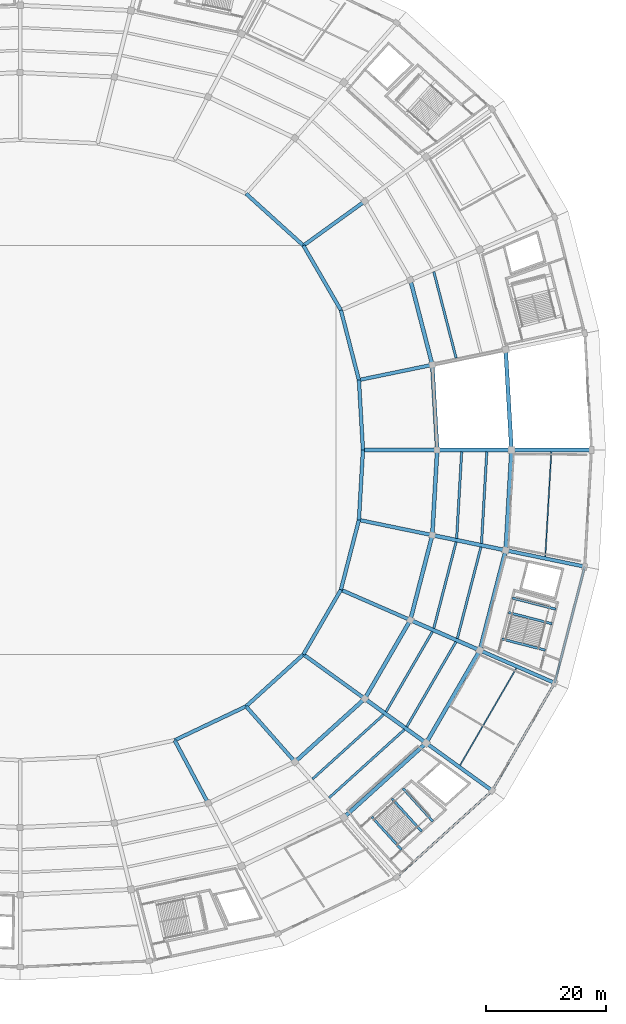
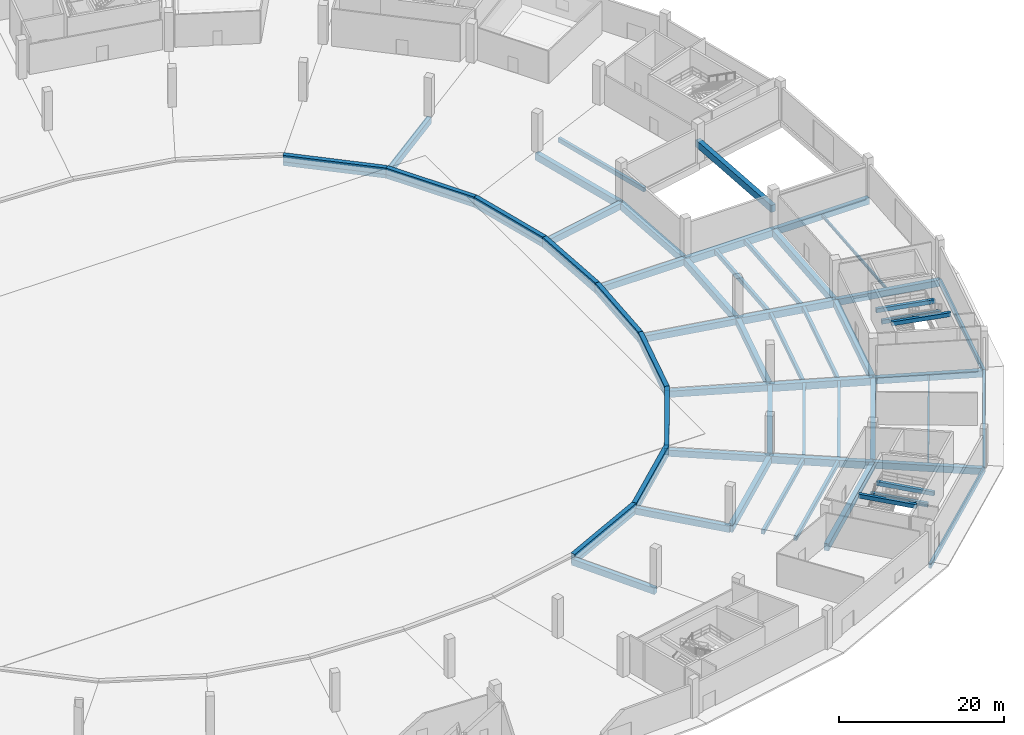
# One storey, part 4 of 48: 65 beams.
"""IFC4 building model written with IfcOpenShell, lengths in metres."""

from ifc_helpers import new_model, si_unit, direction, frame, origin, origin_2d, place, context, subcontext, project, spatial, rectangle, i_section, extrude, material, material_profile, profile_set, type_object, element, save


model = new_model("IFC4")

# Units and contexts
model_context = context("Model", 3, precision=1e-05, world=origin(), true_north=direction((0.0, 1.0)))
body_context = subcontext(model_context, "Body", "Model", "MODEL_VIEW")
ifc_project = project(units=[si_unit("LENGTHUNIT", "METRE"), si_unit("AREAUNIT", "SQUARE_METRE"), si_unit("VOLUMEUNIT", "CUBIC_METRE"), si_unit("PLANEANGLEUNIT", "RADIAN"), si_unit("MASSUNIT", "GRAM", prefix="KILO")], contexts=[model_context])

# Site, building, storey
site_placement = place(None, origin())
site = spatial("IfcSite", under=ifc_project, at=site_placement, CompositionType="ELEMENT")
building_placement = place(site_placement, origin())
building = spatial("IfcBuilding", under=site, at=building_placement, Name="Kazemori Nagisa Stadium", CompositionType="ELEMENT")
storey_placement = place(building_placement, origin())
storey = spatial("IfcBuildingStorey", under=building, at=storey_placement, Name="L00", CompositionType="ELEMENT", Elevation=0.0)

# Beams
ifc_material_1 = material(Name="Concrete C40/50 (Fc42)", Category="concrete")
ifc_material_profile_1 = material_profile(ifc_material_1, rectangle(XDim=0.39990234375, YDim=0.60009765625, at=origin_2d()), Name="RC-BM-400x600")
ifc_profile_set_1 = profile_set([ifc_material_profile_1], Name="Concrete C40/50 (Fc42)")
beam_type_1 = type_object("IfcBeamType", Name="Beam_BG-LND400X600", PredefinedType="BEAM", material=ifc_profile_set_1)
for number, where, z_axis, x_axis, name in (
    (1, (184.815185546875, 44.02685546875, 2.389892578125), (0.671113236271, -0.74135485707, 0.0), (0.74135485707, 0.671113236271, 0.0), "Core stair mid-landing girder ST04-L00-1"),
    (2, (186.66845703125, 45.70458984375, 2.389892578125), (0.671113236271, -0.74135485707, 0.0), (0.74135485707, 0.671113236271, 0.0), "Core stair mid-landing girder ST04-L00-2"),
    (3, (181.456787109375, 40.98681640625, 5.199951171875), (0.671113236271, -0.74135485707, 0.0), (0.74135485707, 0.671113236271, 0.0), "Core stair arrival header girder ST04-L00"),
):
    element("IfcBeam", number, at=place(storey_placement, frame(where, z_axis=z_axis, x_axis=x_axis)), inside=storey, type_object=beam_type_1, Name=name, PredefinedType="BEAM", context=body_context, shape_type="SweptSolid", body=[
        extrude(rectangle(XDim=0.39990234375, YDim=0.60009765625, at=origin_2d()), origin(), (0.0, 0.0, 1.0), 7.385986328125),
    ])
for number, where, z_axis, x_axis, name in (
    (4, (204.22802734375, 74.9609375, 2.389892578125), (0.968252570883, -0.249973916595, 0.0), (0.249973916595, 0.968252570883, 0.0), "Core stair mid-landing girder ST10-L00-1"),
    (5, (204.85302734375, 77.381591796875, 2.389892578125), (0.968252570883, -0.249973916595, 0.0), (0.249973916595, 0.968252570883, 0.0), "Core stair mid-landing girder ST10-L00-2"),
    (6, (203.095703125, 70.57470703125, 5.199951171875), (0.968252570883, -0.249973916595, 0.0), (0.249973916595, 0.968252570883, 0.0), "Core stair arrival header girder ST10-L00"),
):
    element("IfcBeam", number, at=place(storey_placement, frame(where, z_axis=z_axis, x_axis=x_axis)), inside=storey, type_object=beam_type_1, Name=name, PredefinedType="BEAM", context=body_context, shape_type="SweptSolid", body=[
        extrude(rectangle(XDim=0.39990234375, YDim=0.60009765625, at=origin_2d()), origin(), (0.0, 0.0, 1.0), 7.468505859375),
    ])
ifc_material_profile_2 = material_profile(ifc_material_1, rectangle(XDim=0.60009765625, YDim=0.949951171875, at=origin_2d()), Name="RC-BM-600x950")
ifc_profile_set_2 = profile_set([ifc_material_profile_2], Name="Concrete C40/50 (Fc42)")
beam_type_2 = type_object("IfcBeamType", Name="Beam_BG-RC600X950", PredefinedType="BEAM", material=ifc_profile_set_2)
beam_1_placement = place(storey_placement, frame((180.0, 102.0, -0.77490234375), z_axis=(-0.057610985188, 0.998339107912, 0.0), x_axis=(-0.998339107912, -0.057610985188, 0.0)))
element("IfcBeam", 7, at=beam_1_placement, inside=storey, type_object=beam_type_2, Name="Ring girder BG-RC600X950 L00 R0-01", PredefinedType="BEAM", context=body_context, shape_type="SweptSolid", body=[
    extrude(rectangle(XDim=0.60009765625, YDim=0.949951171875, at=origin_2d()), origin(), (0.0, 0.0, 1.0), 11.657958984375),
])
beam_2_placement = place(storey_placement, frame((179.328369140625, 113.638671875, -0.77490234375), z_axis=(-0.249948828341, 0.968259047575, 0.0), x_axis=(-0.968259047575, -0.249948828341, 0.0)))
element("IfcBeam", 8, at=beam_2_placement, inside=storey, type_object=beam_type_2, Name="Ring girder BG-RC600X950 L00 R0-02", PredefinedType="BEAM", context=body_context, shape_type="SweptSolid", body=[
    extrude(rectangle(XDim=0.60009765625, YDim=0.949951171875, at=origin_2d()), origin(), (0.0, 0.0, 1.0), 11.99169921875),
])
beam_3_placement = place(storey_placement, frame((176.3310546875, 125.249755859375, -0.77490234375), z_axis=(-0.501625475419, 0.865084898961, 0.0), x_axis=(-0.865084898961, -0.501625475419, 0.0)))
element("IfcBeam", 9, at=beam_3_placement, inside=storey, type_object=beam_type_2, Name="Ring girder BG-RC600X950 L00 R0-03", PredefinedType="BEAM", context=body_context, shape_type="SweptSolid", body=[
    extrude(rectangle(XDim=0.60009765625, YDim=0.949951171875, at=origin_2d()), origin(), (0.0, 0.0, 1.0), 12.427490234375),
])
beam_4_placement = place(storey_placement, frame((170.09716796875, 136.00048828125, -0.77490234375), z_axis=(-0.741338850776, 0.67113091743, 0.0), x_axis=(-0.67113091743, -0.741338850776, 0.0)))
element("IfcBeam", 10, at=beam_4_placement, inside=storey, type_object=beam_type_2, Name="Ring girder BG-RC600X950 L00 R0-04", PredefinedType="BEAM", context=body_context, shape_type="SweptSolid", body=[
    extrude(rectangle(XDim=0.60009765625, YDim=0.949951171875, at=origin_2d()), origin(), (0.0, 0.0, 1.0), 12.866455078125),
])
beam_5_placement = place(storey_placement, frame((148.682861328125, 53.721435546875, -0.77490234375), z_axis=(0.903219207247, 0.429179523812, 0.0), x_axis=(-0.429179523812, 0.903219207247, 0.0)))
element("IfcBeam", 11, at=beam_5_placement, inside=storey, type_object=beam_type_2, Name="Ring girder BG-RC600X950 L00 R0-24", PredefinedType="BEAM", context=body_context, shape_type="SweptSolid", body=[
    extrude(rectangle(XDim=0.60009765625, YDim=0.949951171875, at=origin_2d()), origin(), (0.0, 0.0, 1.0), 13.1484375),
])
beam_6_placement = place(storey_placement, frame((160.558837890625, 59.364501953125, -0.77490234375), z_axis=(0.741338850776, 0.67113091743, 0.0), x_axis=(-0.67113091743, 0.741338850776, 0.0)))
element("IfcBeam", 12, at=beam_6_placement, inside=storey, type_object=beam_type_2, Name="Ring girder BG-RC600X950 L00 R0-25", PredefinedType="BEAM", context=body_context, shape_type="SweptSolid", body=[
    extrude(rectangle(XDim=0.60009765625, YDim=0.949951171875, at=origin_2d()), origin(), (0.0, 0.0, 1.0), 12.866455078125),
])
beam_7_placement = place(storey_placement, frame((170.09716796875, 67.99951171875, -0.77490234375), z_axis=(0.501625475419, 0.865084898961, 0.0), x_axis=(-0.865084898961, 0.501625475419, 0.0)))
element("IfcBeam", 13, at=beam_7_placement, inside=storey, type_object=beam_type_2, Name="Ring girder BG-RC600X950 L00 R0-26", PredefinedType="BEAM", context=body_context, shape_type="SweptSolid", body=[
    extrude(rectangle(XDim=0.60009765625, YDim=0.949951171875, at=origin_2d()), origin(), (0.0, 0.0, 1.0), 12.427490234375),
])
beam_8_placement = place(storey_placement, frame((176.3310546875, 78.750244140625, -0.77490234375), z_axis=(0.249948828341, 0.968259047575, 0.0), x_axis=(-0.968259047575, 0.249948828341, 0.0)))
element("IfcBeam", 14, at=beam_8_placement, inside=storey, type_object=beam_type_2, Name="Ring girder BG-RC600X950 L00 R0-27", PredefinedType="BEAM", context=body_context, shape_type="SweptSolid", body=[
    extrude(rectangle(XDim=0.60009765625, YDim=0.949951171875, at=origin_2d()), origin(), (0.0, 0.0, 1.0), 11.99169921875),
])
beam_9_placement = place(storey_placement, frame((179.328369140625, 90.361328125, -0.77490234375), z_axis=(0.057610985188, 0.998339107912, 0.0), x_axis=(-0.998339107912, 0.057610985188, 0.0)))
element("IfcBeam", 15, at=beam_9_placement, inside=storey, type_object=beam_type_2, Name="Ring girder BG-RC600X950 L00 R0-28", PredefinedType="BEAM", context=body_context, shape_type="SweptSolid", body=[
    extrude(rectangle(XDim=0.60009765625, YDim=0.949951171875, at=origin_2d()), origin(), (0.0, 0.0, 1.0), 11.657958984375),
])
beam_10_placement = place(storey_placement, frame((180.0, 102.0, -0.77490234375), z_axis=(1.0, 0.0, 0.0), x_axis=(0.0, 1.0, 0.0)))
element("IfcBeam", 16, at=beam_10_placement, inside=storey, type_object=beam_type_2, Name="Radial girder BG-RC600X950 L00 R0-R1-01", PredefinedType="BEAM", context=body_context, shape_type="SweptSolid", body=[
    extrude(rectangle(XDim=0.60009765625, YDim=0.949951171875, at=origin_2d()), origin(), (0.0, 0.0, 1.0), 12.35009765625),
])
beam_11_placement = place(storey_placement, frame((179.328369140625, 113.638671875, -0.77490234375), z_axis=(0.979313861938, 0.202347127025, 0.0), x_axis=(-0.202347127025, 0.979313861938, 0.0)))
element("IfcBeam", 17, at=beam_11_placement, inside=storey, type_object=beam_type_2, Name="Radial girder BG-RC600X950 L00 R0-R1-02", PredefinedType="BEAM", context=body_context, shape_type="SweptSolid", body=[
    extrude(rectangle(XDim=0.60009765625, YDim=0.949951171875, at=origin_2d()), origin(), (0.0, 0.0, 1.0), 12.46240234375),
])
beam_12_placement = place(storey_placement, frame((170.09716796875, 136.00048828125, -0.77490234375), z_axis=(0.810787144242, 0.58534110289, 0.0), x_axis=(-0.58534110289, 0.810787144242, 0.0)))
element("IfcBeam", 18, at=beam_12_placement, inside=storey, type_object=beam_type_2, Name="Radial girder BG-RC600X950 L00 R0-R1-04", PredefinedType="BEAM", context=body_context, shape_type="SweptSolid", body=[
    extrude(rectangle(XDim=0.60009765625, YDim=0.949951171875, at=origin_2d()), origin(), (0.0, 0.0, 1.0), 12.585693359375),
])
beam_13_placement = place(storey_placement, frame((148.682861328125, 53.721435546875, -0.77490234375), z_axis=(0.469654321007, -0.882850394325, 0.0), x_axis=(0.882850394325, 0.469654321007, 0.0)))
element("IfcBeam", 19, at=beam_13_placement, inside=storey, type_object=beam_type_2, Name="Radial girder BG-RC600X950 L00 R0-R1-24", PredefinedType="BEAM", context=body_context, shape_type="SweptSolid", body=[
    extrude(rectangle(XDim=0.60009765625, YDim=0.949951171875, at=origin_2d()), origin(), (0.0, 0.0, 1.0), 11.848388671875),
])
beam_14_placement = place(storey_placement, frame((160.558837890625, 59.364501953125, -0.77490234375), z_axis=(0.66102389667, -0.750364849943, 0.0), x_axis=(0.750364849943, 0.66102389667, 0.0)))
element("IfcBeam", 20, at=beam_14_placement, inside=storey, type_object=beam_type_2, Name="Radial girder BG-RC600X950 L00 R0-R1-25", PredefinedType="BEAM", context=body_context, shape_type="SweptSolid", body=[
    extrude(rectangle(XDim=0.60009765625, YDim=0.949951171875, at=origin_2d()), origin(), (0.0, 0.0, 1.0), 12.310791015625),
])
beam_15_placement = place(storey_placement, frame((170.09716796875, 67.99951171875, -0.77490234375), z_axis=(0.810787144242, -0.58534110289, 0.0), x_axis=(0.58534110289, 0.810787144242, 0.0)))
element("IfcBeam", 21, at=beam_15_placement, inside=storey, type_object=beam_type_2, Name="Radial girder BG-RC600X950 L00 R0-R1-26", PredefinedType="BEAM", context=body_context, shape_type="SweptSolid", body=[
    extrude(rectangle(XDim=0.60009765625, YDim=0.949951171875, at=origin_2d()), origin(), (0.0, 0.0, 1.0), 12.585693359375),
])
beam_16_placement = place(storey_placement, frame((176.3310546875, 78.750244140625, -0.77490234375), z_axis=(0.916678864185, -0.399624648835, 0.0), x_axis=(0.399624648835, 0.916678864185, 0.0)))
element("IfcBeam", 22, at=beam_16_placement, inside=storey, type_object=beam_type_2, Name="Radial girder BG-RC600X950 L00 R0-R1-27", PredefinedType="BEAM", context=body_context, shape_type="SweptSolid", body=[
    extrude(rectangle(XDim=0.60009765625, YDim=0.949951171875, at=origin_2d()), origin(), (0.0, 0.0, 1.0), 12.605224609375),
])
beam_17_placement = place(storey_placement, frame((179.328369140625, 90.361328125, -0.77490234375), z_axis=(0.979313861938, -0.202347127025, 0.0), x_axis=(0.202347127025, 0.979313861938, 0.0)))
element("IfcBeam", 23, at=beam_17_placement, inside=storey, type_object=beam_type_2, Name="Radial girder BG-RC600X950 L00 R0-R1-28", PredefinedType="BEAM", context=body_context, shape_type="SweptSolid", body=[
    extrude(rectangle(XDim=0.60009765625, YDim=0.949951171875, at=origin_2d()), origin(), (0.0, 0.0, 1.0), 12.46240234375),
])
beam_18_placement = place(storey_placement, frame((204.699951171875, 102.0, -0.77490234375), z_axis=(1.0, 0.0, 0.0), x_axis=(0.0, 1.0, 0.0)))
element("IfcBeam", 24, at=beam_18_placement, inside=storey, type_object=beam_type_2, Name="Radial girder BG-RC600X950 L00 R2-R3-01", PredefinedType="BEAM", context=body_context, shape_type="SweptSolid", body=[
    extrude(rectangle(XDim=0.60009765625, YDim=0.949951171875, at=origin_2d()), origin(), (0.0, 0.0, 1.0), 13.300048828125),
])
beam_19_placement = place(storey_placement, frame((190.506103515625, 53.265869140625, -0.77490234375), z_axis=(0.810787509935, -0.585340596349, 0.0), x_axis=(0.585340596349, 0.810787509935, 0.0)))
element("IfcBeam", 25, at=beam_19_placement, inside=storey, type_object=beam_type_2, Name="Radial girder BG-RC600X950 L00 R2-R3-26", PredefinedType="BEAM", context=body_context, shape_type="SweptSolid", body=[
    extrude(rectangle(XDim=0.60009765625, YDim=0.949951171875, at=origin_2d()), origin(), (0.0, 0.0, 1.0), 13.5537109375),
])
beam_20_placement = place(storey_placement, frame((199.44091796875, 68.67529296875, -0.77490234375), z_axis=(0.916683633521, -0.399613708517, 0.0), x_axis=(0.399613708517, 0.916683633521, 0.0)))
element("IfcBeam", 26, at=beam_20_placement, inside=storey, type_object=beam_type_2, Name="Radial girder BG-RC600X950 L00 R2-R3-27", PredefinedType="BEAM", context=body_context, shape_type="SweptSolid", body=[
    extrude(rectangle(XDim=0.60009765625, YDim=0.949951171875, at=origin_2d()), origin(), (0.0, 0.0, 1.0), 13.5751953125),
])
beam_21_placement = place(storey_placement, frame((203.737548828125, 85.31787109375, -0.77490234375), z_axis=(0.979315516463, -0.202339119339, 0.0), x_axis=(0.202339119339, 0.979315516463, 0.0)))
element("IfcBeam", 27, at=beam_21_placement, inside=storey, type_object=beam_type_2, Name="Radial girder BG-RC600X950 L00 R2-R3-28", PredefinedType="BEAM", context=body_context, shape_type="SweptSolid", body=[
    extrude(rectangle(XDim=0.60009765625, YDim=0.949951171875, at=origin_2d()), origin(), (0.0, 0.0, 1.0), 13.4208984375),
])
beam_22_placement = place(storey_placement, frame((180.0, 102.0, -0.199951171875), z_axis=(-0.057610985188, 0.998339107912, 0.0), x_axis=(-0.998339107912, -0.057610985188, 0.0)))
element("IfcBeam", 28, at=beam_22_placement, inside=storey, type_object=beam_type_2, Name="Lower tier front ring beam 01", PredefinedType="BEAM", context=body_context, shape_type="SweptSolid", body=[
    extrude(rectangle(XDim=0.60009765625, YDim=0.949951171875, at=origin_2d()), origin(), (0.0, 0.0, 1.0), 11.657958984375),
])
beam_23_placement = place(storey_placement, frame((179.328369140625, 113.638671875, -0.199951171875), z_axis=(-0.249948828341, 0.968259047575, 0.0), x_axis=(-0.968259047575, -0.249948828341, 0.0)))
element("IfcBeam", 29, at=beam_23_placement, inside=storey, type_object=beam_type_2, Name="Lower tier front ring beam 02", PredefinedType="BEAM", context=body_context, shape_type="SweptSolid", body=[
    extrude(rectangle(XDim=0.60009765625, YDim=0.949951171875, at=origin_2d()), origin(), (0.0, 0.0, 1.0), 11.99169921875),
])
beam_24_placement = place(storey_placement, frame((176.3310546875, 125.249755859375, -0.199951171875), z_axis=(-0.501625475419, 0.865084898961, 0.0), x_axis=(-0.865084898961, -0.501625475419, 0.0)))
element("IfcBeam", 30, at=beam_24_placement, inside=storey, type_object=beam_type_2, Name="Lower tier front ring beam 03", PredefinedType="BEAM", context=body_context, shape_type="SweptSolid", body=[
    extrude(rectangle(XDim=0.60009765625, YDim=0.949951171875, at=origin_2d()), origin(), (0.0, 0.0, 1.0), 12.427490234375),
])
beam_25_placement = place(storey_placement, frame((170.09716796875, 136.00048828125, -0.199951171875), z_axis=(-0.741338850776, 0.67113091743, 0.0), x_axis=(-0.67113091743, -0.741338850776, 0.0)))
element("IfcBeam", 31, at=beam_25_placement, inside=storey, type_object=beam_type_2, Name="Lower tier front ring beam 04", PredefinedType="BEAM", context=body_context, shape_type="SweptSolid", body=[
    extrude(rectangle(XDim=0.60009765625, YDim=0.949951171875, at=origin_2d()), origin(), (0.0, 0.0, 1.0), 12.866455078125),
])
beam_26_placement = place(storey_placement, frame((148.682861328125, 53.721435546875, -0.199951171875), z_axis=(0.903219207247, 0.429179523812, 0.0), x_axis=(-0.429179523812, 0.903219207247, 0.0)))
element("IfcBeam", 32, at=beam_26_placement, inside=storey, type_object=beam_type_2, Name="Lower tier front ring beam 24", PredefinedType="BEAM", context=body_context, shape_type="SweptSolid", body=[
    extrude(rectangle(XDim=0.60009765625, YDim=0.949951171875, at=origin_2d()), origin(), (0.0, 0.0, 1.0), 13.1484375),
])
beam_27_placement = place(storey_placement, frame((160.558837890625, 59.364501953125, -0.199951171875), z_axis=(0.741338850776, 0.67113091743, 0.0), x_axis=(-0.67113091743, 0.741338850776, 0.0)))
element("IfcBeam", 33, at=beam_27_placement, inside=storey, type_object=beam_type_2, Name="Lower tier front ring beam 25", PredefinedType="BEAM", context=body_context, shape_type="SweptSolid", body=[
    extrude(rectangle(XDim=0.60009765625, YDim=0.949951171875, at=origin_2d()), origin(), (0.0, 0.0, 1.0), 12.866455078125),
])
beam_28_placement = place(storey_placement, frame((170.09716796875, 67.99951171875, -0.199951171875), z_axis=(0.501625475419, 0.865084898961, 0.0), x_axis=(-0.865084898961, 0.501625475419, 0.0)))
element("IfcBeam", 34, at=beam_28_placement, inside=storey, type_object=beam_type_2, Name="Lower tier front ring beam 26", PredefinedType="BEAM", context=body_context, shape_type="SweptSolid", body=[
    extrude(rectangle(XDim=0.60009765625, YDim=0.949951171875, at=origin_2d()), origin(), (0.0, 0.0, 1.0), 12.427490234375),
])
beam_29_placement = place(storey_placement, frame((176.3310546875, 78.750244140625, -0.199951171875), z_axis=(0.249948828341, 0.968259047575, 0.0), x_axis=(-0.968259047575, 0.249948828341, 0.0)))
element("IfcBeam", 35, at=beam_29_placement, inside=storey, type_object=beam_type_2, Name="Lower tier front ring beam 27", PredefinedType="BEAM", context=body_context, shape_type="SweptSolid", body=[
    extrude(rectangle(XDim=0.60009765625, YDim=0.949951171875, at=origin_2d()), origin(), (0.0, 0.0, 1.0), 11.99169921875),
])
beam_30_placement = place(storey_placement, frame((179.328369140625, 90.361328125, -0.199951171875), z_axis=(0.057610985188, 0.998339107912, 0.0), x_axis=(-0.998339107912, 0.057610985188, 0.0)))
element("IfcBeam", 36, at=beam_30_placement, inside=storey, type_object=beam_type_2, Name="Lower tier front ring beam 28", PredefinedType="BEAM", context=body_context, shape_type="SweptSolid", body=[
    extrude(rectangle(XDim=0.60009765625, YDim=0.949951171875, at=origin_2d()), origin(), (0.0, 0.0, 1.0), 11.657958984375),
])
ifc_material_profile_3 = material_profile(ifc_material_1, rectangle(XDim=0.64990234375, YDim=1.050048828125, at=origin_2d()), Name="RC-BM-650x1050")
ifc_profile_set_3 = profile_set([ifc_material_profile_3], Name="Concrete C40/50 (Fc42)")
beam_type_3 = type_object("IfcBeamType", Name="Beam_BG-RC650X1050", PredefinedType="BEAM", material=ifc_profile_set_3)
beam_31_placement = place(storey_placement, frame((192.35009765625, 102.0, -0.824951171875), z_axis=(-0.057610061423, 0.998339161219, 0.0), x_axis=(-0.998339161219, -0.057610061423, 0.0)))
element("IfcBeam", 37, at=beam_31_placement, inside=storey, type_object=beam_type_3, Name="Ring girder BG-RC650X1050 L00 R1-01", PredefinedType="BEAM", context=body_context, shape_type="SweptSolid", body=[
    extrude(rectangle(XDim=0.64990234375, YDim=1.050048828125, at=origin_2d()), origin(), (0.0, 0.0, 1.0), 14.183837890625),
])
beam_32_placement = place(storey_placement, frame((191.532958984375, 116.160400390625, -0.824951171875), z_axis=(-0.249966077383, 0.9682545947, 0.0), x_axis=(-0.9682545947, -0.249966077383, 0.0)))
element("IfcBeam", 38, at=beam_32_placement, inside=storey, type_object=beam_type_3, Name="Ring girder BG-RC650X1050 L00 R1-02", PredefinedType="BEAM", context=body_context, shape_type="SweptSolid", body=[
    extrude(rectangle(XDim=0.64990234375, YDim=1.050048828125, at=origin_2d()), origin(), (0.0, 0.0, 1.0), 14.58984375),
])
beam_33_placement = place(storey_placement, frame((168.696533203125, 50.126953125, -0.824951171875), z_axis=(0.741349160152, 0.6711195294, 0.0), x_axis=(-0.6711195294, 0.741349160152, 0.0)))
element("IfcBeam", 39, at=beam_33_placement, inside=storey, type_object=beam_type_3, Name="Ring girder BG-RC650X1050 L00 R1-25", PredefinedType="BEAM", context=body_context, shape_type="SweptSolid", body=[
    extrude(rectangle(XDim=0.64990234375, YDim=1.050048828125, at=origin_2d()), origin(), (0.0, 0.0, 1.0), 15.65380859375),
])
beam_34_placement = place(storey_placement, frame((180.301513671875, 60.632568359375, -0.824951171875), z_axis=(0.501613453924, 0.865091869597, 0.0), x_axis=(-0.865091869597, 0.501613453924, 0.0)))
element("IfcBeam", 40, at=beam_34_placement, inside=storey, type_object=beam_type_3, Name="Ring girder BG-RC650X1050 L00 R1-26", PredefinedType="BEAM", context=body_context, shape_type="SweptSolid", body=[
    extrude(rectangle(XDim=0.64990234375, YDim=1.050048828125, at=origin_2d()), origin(), (0.0, 0.0, 1.0), 15.1201171875),
])
beam_35_placement = place(storey_placement, frame((187.885986328125, 73.712890625, -0.824951171875), z_axis=(0.249966077383, 0.9682545947, 0.0), x_axis=(-0.9682545947, 0.249966077383, 0.0)))
element("IfcBeam", 41, at=beam_35_placement, inside=storey, type_object=beam_type_3, Name="Ring girder BG-RC650X1050 L00 R1-27", PredefinedType="BEAM", context=body_context, shape_type="SweptSolid", body=[
    extrude(rectangle(XDim=0.64990234375, YDim=1.050048828125, at=origin_2d()), origin(), (0.0, 0.0, 1.0), 14.58984375),
])
beam_36_placement = place(storey_placement, frame((191.532958984375, 87.839599609375, -0.824951171875), z_axis=(0.057610061423, 0.998339161219, 0.0), x_axis=(-0.998339161219, 0.057610061423, 0.0)))
element("IfcBeam", 42, at=beam_36_placement, inside=storey, type_object=beam_type_3, Name="Ring girder BG-RC650X1050 L00 R1-28", PredefinedType="BEAM", context=body_context, shape_type="SweptSolid", body=[
    extrude(rectangle(XDim=0.64990234375, YDim=1.050048828125, at=origin_2d()), origin(), (0.0, 0.0, 1.0), 14.183837890625),
])
beam_37_placement = place(storey_placement, frame((204.699951171875, 102.0, 2.60498046875), z_axis=(-0.057594854854, 0.998340038611, 0.0), x_axis=(-0.998340038611, -0.057594854854, 0.0)))
element("IfcBeam", 43, at=beam_37_placement, inside=storey, type_object=beam_type_3, Name="Ring girder BG-RC650X1050 L00 R2-01", PredefinedType="BEAM", context=body_context, shape_type="SweptSolid", body=[
    extrude(rectangle(XDim=0.64990234375, YDim=1.050048828125, at=origin_2d()), origin(), (0.0, 0.0, 1.0), 16.7099609375),
])
beam_38_placement = place(storey_placement, frame((176.834228515625, 40.88916015625, -0.824951171875), z_axis=(0.741349142139, 0.671119549298, 0.0), x_axis=(-0.671119549298, 0.741349142139, 0.0)))
element("IfcBeam", 44, at=beam_38_placement, inside=storey, type_object=beam_type_3, Name="Ring girder BG-RC650X1050 L00 R2-25", PredefinedType="BEAM", context=body_context, shape_type="SweptSolid", body=[
    extrude(rectangle(XDim=0.64990234375, YDim=1.050048828125, at=origin_2d()), origin(), (0.0, 0.0, 1.0), 18.44189453125),
])
beam_39_placement = place(storey_placement, frame((190.506103515625, 53.265869140625, -0.824951171875), z_axis=(0.501606704589, 0.865095783085, 0.0), x_axis=(-0.865095783085, 0.501606704589, 0.0)))
element("IfcBeam", 45, at=beam_39_placement, inside=storey, type_object=beam_type_3, Name="Ring girder BG-RC650X1050 L00 R2-26", PredefinedType="BEAM", context=body_context, shape_type="SweptSolid", body=[
    extrude(rectangle(XDim=0.64990234375, YDim=1.050048828125, at=origin_2d()), origin(), (0.0, 0.0, 1.0), 17.8125),
])
beam_40_placement = place(storey_placement, frame((199.44091796875, 68.67529296875, -0.824951171875), z_axis=(0.249974673676, 0.968252375427, 0.0), x_axis=(-0.968252375427, 0.249974673676, 0.0)))
element("IfcBeam", 46, at=beam_40_placement, inside=storey, type_object=beam_type_3, Name="Ring girder BG-RC650X1050 L00 R2-27", PredefinedType="BEAM", context=body_context, shape_type="SweptSolid", body=[
    extrude(rectangle(XDim=0.64990234375, YDim=1.050048828125, at=origin_2d()), origin(), (0.0, 0.0, 1.0), 17.188232421875),
])
beam_41_placement = place(storey_placement, frame((203.737548828125, 85.31787109375, -0.824951171875), z_axis=(0.057594854854, 0.998340038611, 0.0), x_axis=(-0.998340038611, 0.057594854854, 0.0)))
element("IfcBeam", 47, at=beam_41_placement, inside=storey, type_object=beam_type_3, Name="Ring girder BG-RC650X1050 L00 R2-28", PredefinedType="BEAM", context=body_context, shape_type="SweptSolid", body=[
    extrude(rectangle(XDim=0.64990234375, YDim=1.050048828125, at=origin_2d()), origin(), (0.0, 0.0, 1.0), 16.7099609375),
])
beam_42_placement = place(storey_placement, frame((192.35009765625, 102.0, -0.824951171875), z_axis=(1.0, 0.0, 0.0), x_axis=(0.0, 1.0, 0.0)))
element("IfcBeam", 48, at=beam_42_placement, inside=storey, type_object=beam_type_3, Name="Radial girder BG-RC650X1050 L00 R1-R2-01", PredefinedType="BEAM", context=body_context, shape_type="SweptSolid", body=[
    extrude(rectangle(XDim=0.64990234375, YDim=1.050048828125, at=origin_2d()), origin(), (0.0, 0.0, 1.0), 12.349853515625),
])
beam_43_placement = place(storey_placement, frame((180.301513671875, 60.632568359375, -0.824951171875), z_axis=(0.810802996314, -0.585319144714, 0.0), x_axis=(0.585319144714, 0.810802996314, 0.0)))
element("IfcBeam", 49, at=beam_43_placement, inside=storey, type_object=beam_type_3, Name="Radial girder BG-RC650X1050 L00 R1-R2-26", PredefinedType="BEAM", context=body_context, shape_type="SweptSolid", body=[
    extrude(rectangle(XDim=0.64990234375, YDim=1.050048828125, at=origin_2d()), origin(), (0.0, 0.0, 1.0), 12.585693359375),
])
beam_44_placement = place(storey_placement, frame((187.885986328125, 73.712890625, -0.824951171875), z_axis=(0.916671768981, -0.399640923771, 0.0), x_axis=(0.399640923771, 0.916671768981, 0.0)))
element("IfcBeam", 50, at=beam_44_placement, inside=storey, type_object=beam_type_3, Name="Radial girder BG-RC650X1050 L00 R1-R2-27", PredefinedType="BEAM", context=body_context, shape_type="SweptSolid", body=[
    extrude(rectangle(XDim=0.64990234375, YDim=1.050048828125, at=origin_2d()), origin(), (0.0, 0.0, 1.0), 12.605224609375),
])
beam_45_placement = place(storey_placement, frame((191.532958984375, 87.839599609375, -0.824951171875), z_axis=(0.979313861938, -0.202347127025, 0.0), x_axis=(0.202347127025, 0.979313861938, 0.0)))
element("IfcBeam", 51, at=beam_45_placement, inside=storey, type_object=beam_type_3, Name="Radial girder BG-RC650X1050 L00 R1-R2-28", PredefinedType="BEAM", context=body_context, shape_type="SweptSolid", body=[
    extrude(rectangle(XDim=0.64990234375, YDim=1.050048828125, at=origin_2d()), origin(), (0.0, 0.0, 1.0), 12.46240234375),
])
ifc_material_2 = material(Name="Steel SN490B", Category="steel")
ifc_material_profile_4 = material_profile(ifc_material_2, i_section(OverallWidth=0.199951171875, OverallDepth=0.449951171875, WebThickness=0.009033203125, FlangeThickness=0.013916015625, FilletRadius=0.012939453125, at=origin_2d()), Name="H-450x200x9x14")
ifc_profile_set_4 = profile_set([ifc_material_profile_4], Name="Steel SN490B")
beam_type_4 = type_object("IfcBeamType", Name="Beam_BJ-H450", PredefinedType="JOIST", material=ifc_profile_set_4)
beam_46_placement = place(storey_placement, frame((196.148681640625, 49.55419921875, -0.52490234375), z_axis=(0.501603616832, 0.865097573446, 0.0), x_axis=(-0.865097573446, 0.501603616832, 0.0)))
element("IfcBeam", 52, at=beam_46_placement, inside=storey, type_object=beam_type_4, Name="Outer bay joist BJ-H450 L00 B26", PredefinedType="JOIST", context=body_context, shape_type="SweptSolid", body=[
    extrude(i_section(OverallWidth=0.199951171875, OverallDepth=0.449951171875, WebThickness=0.009033203125, FlangeThickness=0.013916015625, FilletRadius=0.012939453125, at=origin_2d()), origin(), (0.0, 0.0, 1.0), 18.672607421875),
])
beam_47_placement = place(storey_placement, frame((210.326171875, 84.254638671875, -0.52490234375), z_axis=(0.057599479831, 0.998339771783, 0.0), x_axis=(-0.998339771783, 0.057599479831, 0.0)))
element("IfcBeam", 53, at=beam_47_placement, inside=storey, type_object=beam_type_4, Name="Outer bay joist BJ-H450 L00 B28", PredefinedType="JOIST", context=body_context, shape_type="SweptSolid", body=[
    extrude(i_section(OverallWidth=0.199951171875, OverallDepth=0.449951171875, WebThickness=0.009033203125, FlangeThickness=0.013916015625, FilletRadius=0.012939453125, at=origin_2d()), origin(), (0.0, 0.0, 1.0), 17.47998046875),
])
ifc_material_profile_5 = material_profile(ifc_material_1, rectangle(XDim=0.39990234375, YDim=0.64990234375, at=origin_2d()), Name="RC-BM-400x650")
ifc_profile_set_5 = profile_set([ifc_material_profile_5], Name="Concrete C40/50 (Fc42)")
beam_type_5 = type_object("IfcBeamType", Name="Beam_BJ-RC400X650", PredefinedType="JOIST", material=ifc_profile_set_5)
beam_48_placement = place(storey_placement, frame((195.49609375, 117.280029296875, -0.625), z_axis=(-0.24996646764, 0.968254493951, 0.0), x_axis=(-0.968254493951, -0.24996646764, 0.0)))
element("IfcBeam", 54, at=beam_48_placement, inside=storey, type_object=beam_type_5, Name="Concourse joist BJ-RC400X650 L00 B02-1", PredefinedType="JOIST", context=body_context, shape_type="SweptSolid", body=[
    extrude(rectangle(XDim=0.39990234375, YDim=0.64990234375, at=origin_2d()), origin(), (0.0, 0.0, 1.0), 14.859375),
])
beam_49_placement = place(storey_placement, frame((171.60693359375, 47.269287109375, -0.625), z_axis=(0.741344716793, 0.671124437704, 0.0), x_axis=(-0.671124437704, 0.741344716793, 0.0)))
element("IfcBeam", 55, at=beam_49_placement, inside=storey, type_object=beam_type_5, Name="Concourse joist BJ-RC400X650 L00 B25-1", PredefinedType="JOIST", context=body_context, shape_type="SweptSolid", body=[
    extrude(rectangle(XDim=0.39990234375, YDim=0.64990234375, at=origin_2d()), origin(), (0.0, 0.0, 1.0), 15.986328125),
])
beam_50_placement = place(storey_placement, frame((174.361328125, 44.142822265625, -0.625), z_axis=(0.741349213887, 0.671119470041, 0.0), x_axis=(-0.671119470041, 0.741349213887, 0.0)))
element("IfcBeam", 56, at=beam_50_placement, inside=storey, type_object=beam_type_5, Name="Concourse joist BJ-RC400X650 L00 B25-2", PredefinedType="JOIST", context=body_context, shape_type="SweptSolid", body=[
    extrude(rectangle(XDim=0.39990234375, YDim=0.64990234375, at=origin_2d()), origin(), (0.0, 0.0, 1.0), 16.9296875),
])
beam_51_placement = place(storey_placement, frame((183.824951171875, 58.451171875, -0.625), z_axis=(0.501607199617, 0.865095496054, 0.0), x_axis=(-0.865095496054, 0.501607199617, 0.0)))
element("IfcBeam", 57, at=beam_51_placement, inside=storey, type_object=beam_type_5, Name="Concourse joist BJ-RC400X650 L00 B26-1", PredefinedType="JOIST", context=body_context, shape_type="SweptSolid", body=[
    extrude(rectangle(XDim=0.39990234375, YDim=0.64990234375, at=origin_2d()), origin(), (0.0, 0.0, 1.0), 15.420654296875),
])
beam_52_placement = place(storey_placement, frame((187.27880859375, 55.957763671875, -0.625), z_axis=(0.501604213872, 0.865097227268, 0.0), x_axis=(-0.865097227268, 0.501604213872, 0.0)))
element("IfcBeam", 58, at=beam_52_placement, inside=storey, type_object=beam_type_5, Name="Concourse joist BJ-RC400X650 L00 B26-2", PredefinedType="JOIST", context=body_context, shape_type="SweptSolid", body=[
    extrude(rectangle(XDim=0.39990234375, YDim=0.64990234375, at=origin_2d()), origin(), (0.0, 0.0, 1.0), 16.331787109375),
])
beam_53_placement = place(storey_placement, frame((191.78173828125, 72.332275390625, -0.625), z_axis=(0.24996646764, 0.968254493951, 0.0), x_axis=(-0.968254493951, 0.24996646764, 0.0)))
element("IfcBeam", 59, at=beam_53_placement, inside=storey, type_object=beam_type_5, Name="Concourse joist BJ-RC400X650 L00 B27-1", PredefinedType="JOIST", context=body_context, shape_type="SweptSolid", body=[
    extrude(rectangle(XDim=0.39990234375, YDim=0.64990234375, at=origin_2d()), origin(), (0.0, 0.0, 1.0), 14.859375),
])
beam_54_placement = place(storey_placement, frame((195.692626953125, 70.627197265625, -0.625), z_axis=(0.24997419154, 0.968252499901, 0.0), x_axis=(-0.968252499901, 0.24997419154, 0.0)))
element("IfcBeam", 60, at=beam_54_placement, inside=storey, type_object=beam_type_5, Name="Concourse joist BJ-RC400X650 L00 B27-2", PredefinedType="JOIST", context=body_context, shape_type="SweptSolid", body=[
    extrude(rectangle(XDim=0.39990234375, YDim=0.64990234375, at=origin_2d()), origin(), (0.0, 0.0, 1.0), 15.739013671875),
])
beam_55_placement = place(storey_placement, frame((195.5869140625, 87.300048828125, -0.625), z_axis=(0.057594265016, 0.998340072639, 0.0), x_axis=(-0.998340072639, 0.057594265016, 0.0)))
element("IfcBeam", 61, at=beam_55_placement, inside=storey, type_object=beam_type_5, Name="Concourse joist BJ-RC400X650 L00 B28-1", PredefinedType="JOIST", context=body_context, shape_type="SweptSolid", body=[
    extrude(rectangle(XDim=0.39990234375, YDim=0.64990234375, at=origin_2d()), origin(), (0.0, 0.0, 1.0), 14.429443359375),
])
beam_56_placement = place(storey_placement, frame((199.717529296875, 86.446533203125, -0.625), z_axis=(0.057599290514, 0.998339782705, 0.0), x_axis=(-0.998339782705, 0.057599290514, 0.0)))
element("IfcBeam", 62, at=beam_56_placement, inside=storey, type_object=beam_type_5, Name="Concourse joist BJ-RC400X650 L00 B28-2", PredefinedType="JOIST", context=body_context, shape_type="SweptSolid", body=[
    extrude(rectangle(XDim=0.39990234375, YDim=0.64990234375, at=origin_2d()), origin(), (0.0, 0.0, 1.0), 15.284423828125),
])
ifc_material_profile_6 = material_profile(ifc_material_1, rectangle(XDim=0.35009765625, YDim=0.699951171875, at=origin_2d()), Name="RC-SP-350x700")
ifc_profile_set_6 = profile_set([ifc_material_profile_6], Name="Concrete C40/50 (Fc42)")
beam_type_6 = type_object("IfcBeamType", Name="Beam_BS-RC350X700", PredefinedType="SPANDREL", material=ifc_profile_set_6)
beam_57_placement = place(storey_placement, frame((185.597900390625, 30.94091796875, -0.64990234375), z_axis=(0.741351531326, 0.671116910084, 0.0), x_axis=(-0.671116910084, 0.741351531326, 0.0)))
element("IfcBeam", 63, at=beam_57_placement, inside=storey, type_object=beam_type_6, Name="Ring girder BS-RC350X700 L00 R3-25", PredefinedType="SPANDREL", context=body_context, shape_type="SweptSolid", body=[
    extrude(rectangle(XDim=0.35009765625, YDim=0.699951171875, at=origin_2d()), origin(), (0.0, 0.0, 1.0), 21.44384765625),
])
beam_58_placement = place(storey_placement, frame((201.495361328125, 45.332275390625, -0.64990234375), z_axis=(0.50161277459, 0.8650922635, 0.0), x_axis=(-0.8650922635, 0.50161277459, 0.0)))
element("IfcBeam", 64, at=beam_58_placement, inside=storey, type_object=beam_type_6, Name="Ring girder BS-RC350X700 L00 R3-26", PredefinedType="SPANDREL", context=body_context, shape_type="SweptSolid", body=[
    extrude(rectangle(XDim=0.35009765625, YDim=0.699951171875, at=origin_2d()), origin(), (0.0, 0.0, 1.0), 20.71240234375),
])
beam_59_placement = place(storey_placement, frame((211.885009765625, 63.25048828125, -0.64990234375), z_axis=(0.249964097999, 0.968255105699, 0.0), x_axis=(-0.968255105699, 0.249964097999, 0.0)))
element("IfcBeam", 65, at=beam_59_placement, inside=storey, type_object=beam_type_6, Name="Ring girder BS-RC350X700 L00 R3-27", PredefinedType="SPANDREL", context=body_context, shape_type="SweptSolid", body=[
    extrude(rectangle(XDim=0.35009765625, YDim=0.699951171875, at=origin_2d()), origin(), (0.0, 0.0, 1.0), 19.986328125),
])

save(model, "model.ifc")
